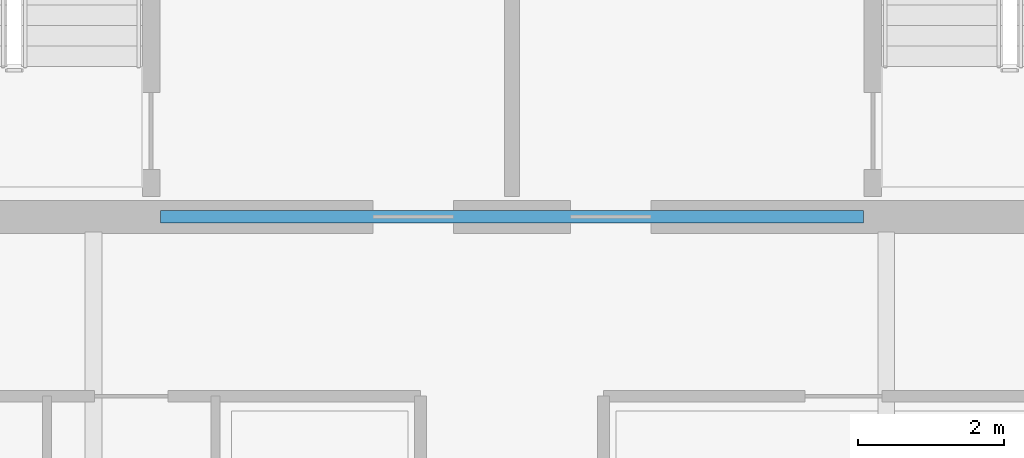
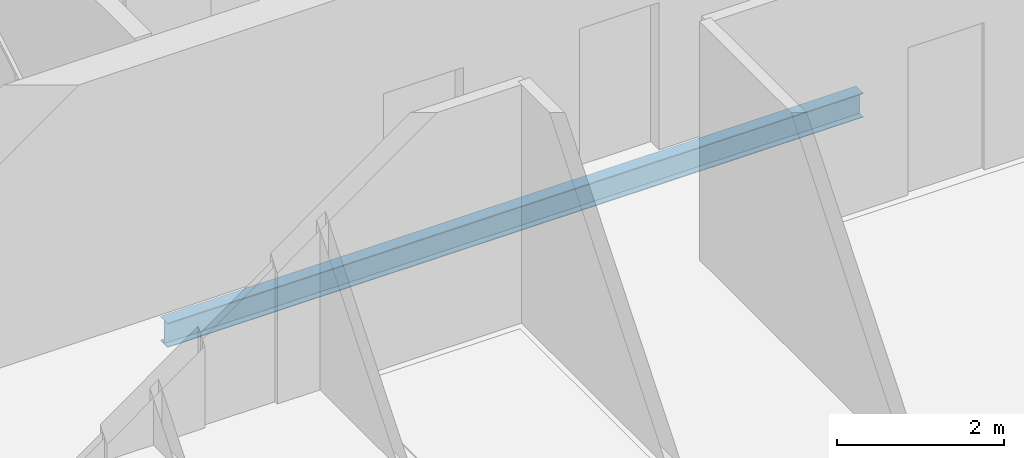
# One storey, part 7 of 28: 1 beam.
"""IFC4 building model written with IfcOpenShell, lengths in metres."""

from ifc_helpers import new_model, si_unit, direction, frame, origin, origin_2d, place, context, subcontext, project, spatial, i_section, extrude, material, material_profile, profile_set, type_object, element, save


model = new_model("IFC4")

# Units and contexts
model_context = context("Model", 3, precision=1e-05, world=origin(), true_north=direction((0.0, 1.0)))
body_context = subcontext(model_context, "Body", "Model", "MODEL_VIEW")
ifc_project = project(units=[si_unit("LENGTHUNIT", "METRE"), si_unit("AREAUNIT", "SQUARE_METRE"), si_unit("VOLUMEUNIT", "CUBIC_METRE"), si_unit("PLANEANGLEUNIT", "RADIAN"), si_unit("MASSUNIT", "GRAM", prefix="KILO")], contexts=[model_context])

# Site, building, storey
site_placement = place(None, origin())
site = spatial("IfcSite", under=ifc_project, at=site_placement, CompositionType="ELEMENT")
building_placement = place(site_placement, origin())
building = spatial("IfcBuilding", under=site, at=building_placement, Name="Haldenkirk Collegiate Tower", CompositionType="ELEMENT")
storey_placement = place(building_placement, frame((0.0, 0.0, 282.449951171875)))
storey = spatial("IfcBuildingStorey", under=building, at=storey_placement, Name="L71", CompositionType="ELEMENT", Elevation=282.449951171875)

# Beam
ifc_material = material(Name="Steel ASTM A992 Grade 50", Category="steel")
ifc_material_profile = material_profile(ifc_material, i_section(OverallWidth=0.1708984375, OverallDepth=0.35595703125, WebThickness=0.007080078125, FlangeThickness=0.01171875, at=origin_2d()), Name="W14X34")
ifc_profile_set = profile_set([ifc_material_profile], Name="Steel ASTM A992 Grade 50")
beam_type = type_object("IfcBeamType", Name="BM-LINTEL-W14X34", PredefinedType="LINTEL", material=ifc_profile_set)
beam_placement = place(storey_placement, frame((31.199951171875, 18.0, -0.447998046875), z_axis=(1.0, 0.0, 0.0), x_axis=(0.0, 1.0, 0.0)))
element("IfcBeam", 1, at=beam_placement, inside=storey, type_object=beam_type, Name="L71 south core coupling lintel", PredefinedType="LINTEL", context=body_context, shape_type="SweptSolid", body=[
    extrude(i_section(OverallWidth=0.1708984375, OverallDepth=0.35595703125, WebThickness=0.007080078125, FlangeThickness=0.01171875, at=origin_2d()), origin(), (0.0, 0.0, 1.0), 9.60009765625),
])

save(model, "model.ifc")
